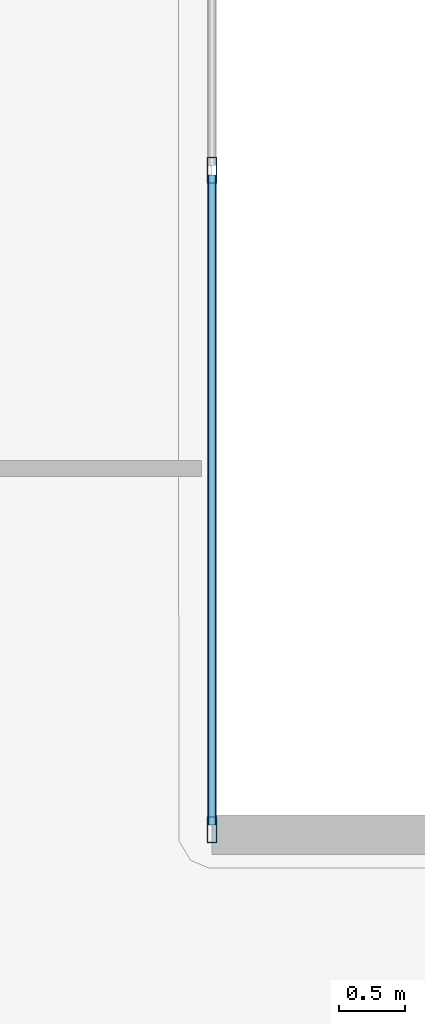
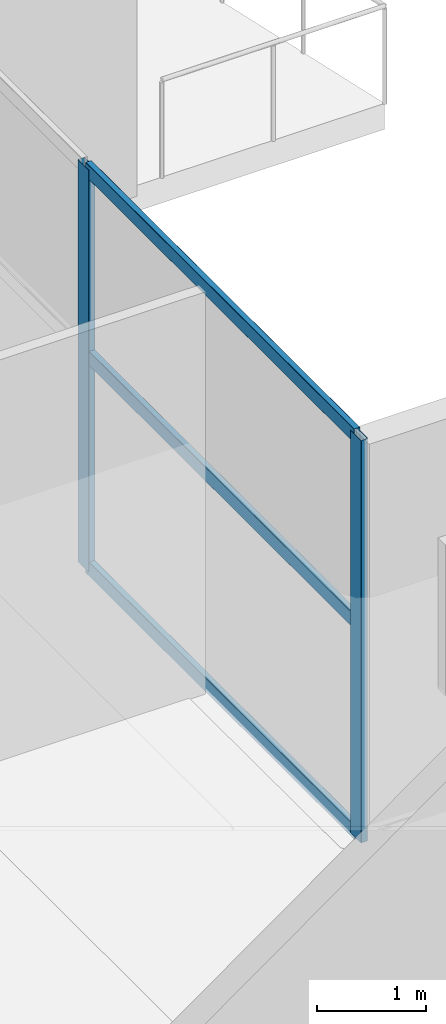
# One storey, part 11 of 42: 5 members, 1 element without a shape of its own.
"""IFC4 building model written with IfcOpenShell, lengths in metres."""

import ifcopenshell
import ifcopenshell.guid

model = None  # the IFC model being written
_history = None  # IfcOwnerHistory: only IFC2X3 demands one
_inside = {}  # id of a spatial element -> (the spatial element, [elements in it])
_under = {}  # id of a project, library or spatial element -> (it, [spatial elements below it])
_declared = {}  # id of a project -> (the project, [libraries it declares])
_typed = {}  # id of a type object -> (the type object, [elements of that type])
_made_of = {}  # id of a material, layer set ... -> (it, [elements and type objects made of it])


def new_model(schema):
    """Start an empty IFC model of exactly this schema.

    Asked for "IFC4X3", IfcOpenShell would pick the latest addendum, in which some entities
    have other attributes; the version numbers below select the first issue.
    IFC2X3 requires an IfcOwnerHistory on every rooted entity: one is made here for all.
    """
    global model, _history
    if schema == "IFC4X3":
        model = ifcopenshell.file(schema_version=(4, 3, 0, 0))
    else:
        model = ifcopenshell.file(schema=schema)
    _inside.clear()
    _under.clear()
    _declared.clear()
    _typed.clear()
    _made_of.clear()
    _history = None
    if model.schema == "IFC2X3":
        org = make("IfcOrganization", Name="unknown")
        user = make(
            "IfcPersonAndOrganization",
            ThePerson=make("IfcPerson", FamilyName="unknown"),
            TheOrganization=org,
        )
        app = make(
            "IfcApplication",
            ApplicationDeveloper=org,
            Version="unknown",
            ApplicationFullName="unknown",
            ApplicationIdentifier="unknown",
        )
        _history = make(
            "IfcOwnerHistory",
            OwningUser=user,
            OwningApplication=app,
            ChangeAction="ADDED",
            CreationDate=0,
        )
    return model


def make(cls, **values):
    """One entity of the class cls with the attributes given. An attribute that is None is left unset."""
    return model.create_entity(
        cls, **{name: value for name, value in values.items() if value is not None}
    )


def rooted(cls, **values):
    """An entity with a GlobalId (a new one), such as an element, a storey or a relation."""
    return make(cls, GlobalId=ifcopenshell.guid.new(), OwnerHistory=_history, **values)


def si_unit(unit_type, name, prefix=None):
    """IfcSIUnit, for example si_unit("LENGTHUNIT", "METRE", prefix="MILLI")."""
    return make("IfcSIUnit", UnitType=unit_type, Prefix=prefix, Name=name)


def assignment(units):
    """IfcUnitAssignment: the units of a project."""
    return None if units is None else make("IfcUnitAssignment", Units=units)


def point(xyz):
    """IfcCartesianPoint."""
    return None if xyz is None else make("IfcCartesianPoint", Coordinates=xyz)


def direction(xyz):
    """IfcDirection."""
    return None if xyz is None else make("IfcDirection", DirectionRatios=xyz)


def frame(location, z_axis=None, x_axis=None):
    """IfcAxis2Placement3D, a coordinate frame: its origin and axes. An axis left out is left unset."""
    return make(
        "IfcAxis2Placement3D",
        Location=point(location),
        Axis=direction(z_axis),
        RefDirection=direction(x_axis),
    )


def frame_2d(location, x_axis=None):
    """IfcAxis2Placement2D, a coordinate frame in the plane: its origin and x axis."""
    return make(
        "IfcAxis2Placement2D", Location=point(location), RefDirection=direction(x_axis)
    )


def origin():
    """The frame at (0, 0, 0) with its axes left unset."""
    return frame((0.0, 0.0, 0.0))


def origin_2d():
    """The frame at (0, 0) in the plane with its x axis left unset."""
    return frame_2d((0.0, 0.0))


def place(relative_to, where):
    """IfcLocalPlacement: puts the frame where relative to a parent placement (None: the world)."""
    return make(
        "IfcLocalPlacement", PlacementRelTo=relative_to, RelativePlacement=where
    )


def context(
    kind, dimensions, precision=None, world=None, true_north=None, identifier=None
):
    """IfcGeometricRepresentationContext, for example the 3D "Model" context."""
    return make(
        "IfcGeometricRepresentationContext",
        ContextIdentifier=identifier,
        ContextType=kind,
        CoordinateSpaceDimension=dimensions,
        Precision=precision,
        WorldCoordinateSystem=world,
        TrueNorth=true_north,
    )


def subcontext(parent, identifier, kind, view, scale=None):
    """IfcGeometricRepresentationSubContext, for example "Body" below "Model"."""
    return make(
        "IfcGeometricRepresentationSubContext",
        ContextIdentifier=identifier,
        ContextType=kind,
        ParentContext=parent,
        TargetScale=scale,
        TargetView=view,
    )


def project(units=None, contexts=None):
    """IfcProject with its units and contexts."""
    return rooted(
        "IfcProject",
        Name="project",
        RepresentationContexts=contexts,
        UnitsInContext=assignment(units),
    )


def spatial(cls, under=None, at=None, **own):
    """A site, building, storey or space (cls), placed at a placement, below another one or the project."""
    s = rooted(cls, ObjectPlacement=at, **own)
    if under is not None:
        _under.setdefault(under.id(), (under, []))[1].append(s)
    return s


def profile(cls, at=None, kind="AREA", **sizes):
    """A parametric profile (cls). Its sizes go by their IFC names, for example OverallWidth=200.0."""
    return make(cls, ProfileType=kind, Position=at, **sizes)


def hollow_rectangle(**sizes):
    """IfcRectangleHollowProfileDef."""
    return profile("IfcRectangleHollowProfileDef", **sizes)


def extrude(swept, where, along, depth):
    """IfcExtrudedAreaSolid: the profile swept, set in the frame where, extruded along a direction by depth."""
    return make(
        "IfcExtrudedAreaSolid",
        SweptArea=swept,
        Position=where,
        ExtrudedDirection=direction(along),
        Depth=depth,
    )


def shape(context_of_items, identifier, shape_type, items):
    """IfcShapeRepresentation: the items that make up one representation, for example the "Body"."""
    return make(
        "IfcShapeRepresentation",
        ContextOfItems=context_of_items,
        RepresentationIdentifier=identifier,
        RepresentationType=shape_type,
        Items=items,
    )


def material(Name=None, Category=None):
    """IfcMaterial."""
    return make("IfcMaterial", Name=Name, Category=Category)


def layer(
    of_material, thickness, ventilated=None, Name=None, Category=None, Priority=None
):
    """IfcMaterialLayer: one layer of a wall or slab, of a material (None: an air gap)."""
    return make(
        "IfcMaterialLayer",
        Material=of_material,
        LayerThickness=thickness,
        IsVentilated=ventilated,
        Name=Name,
        Category=Category,
        Priority=Priority,
    )


def layer_set(layers, Name=None):
    """IfcMaterialLayerSet."""
    return make("IfcMaterialLayerSet", MaterialLayers=layers, LayerSetName=Name)


def material_profile(
    of_material, cross_section, Name=None, Category=None, Priority=None
):
    """IfcMaterialProfile: a cross section and its material."""
    return make(
        "IfcMaterialProfile",
        Name=Name,
        Material=of_material,
        Profile=cross_section,
        Priority=Priority,
        Category=Category,
    )


def profile_set(profiles, Name=None, composite=None):
    """IfcMaterialProfileSet."""
    return make(
        "IfcMaterialProfileSet",
        Name=Name,
        MaterialProfiles=profiles,
        CompositeProfile=composite,
    )


def made_of(thing, what):
    """Note that an element or type object is made of a material, layer set ...; save() writes the relation."""
    if what is not None:
        _made_of.setdefault(what.id(), (what, []))[1].append(thing)
    return thing


def type_object(cls, material=None, **own):
    """A type object (cls), such as IfcWallType, which elements share."""
    return made_of(rooted(cls, **own), material)


def element(
    cls,
    number,
    at=None,
    inside=None,
    cuts=None,
    type_object=None,
    material=None,
    context=None,
    identifier="Body",
    shape_type=None,
    held_by="IfcProductDefinitionShape",
    body=None,
    shapes=None,
    **own,
):
    """One element of the class cls, such as IfcWall. Its Tag is "e" and its number.

    at: its placement. inside: the storey or other place that contains it. cuts: it is an
    opening in that element (IfcRelVoidsElement). A single representation is given by context,
    identifier, shape_type and body (its items); several are given by shapes. held_by: the class
    of the entity that holds the representations. save() writes the other relations.
    """
    e = rooted(cls, Tag="e%d" % number, ObjectPlacement=at, **own)
    if body is not None:
        shapes = [shape(context, identifier, shape_type, body)]
    if shapes is not None:
        e.Representation = make(held_by, Representations=shapes)
    if inside is not None:
        _inside.setdefault(inside.id(), (inside, []))[1].append(e)
    if cuts is not None:
        rooted(
            "IfcRelVoidsElement", RelatingBuildingElement=cuts, RelatedOpeningElement=e
        )
    if type_object is not None:
        _typed.setdefault(type_object.id(), (type_object, []))[1].append(e)
    return made_of(e, material)


def aggregate(whole, parts):
    """IfcRelAggregates: a whole, such as a stair, and the parts it consists of."""
    return rooted("IfcRelAggregates", RelatingObject=whole, RelatedObjects=parts)


def save(model, path):
    """Write the relations noted so far, then the file.

    IfcRelAggregates (storeys below a building ...), IfcRelContainedInSpatialStructure (elements
    in a storey), IfcRelDefinesByType, IfcRelAssociatesMaterial and IfcRelDeclares: one each for
    every whole, place, type object, material and project.
    """
    for whole, parts in _under.values():
        aggregate(whole, parts)
    for where, things in _inside.values():
        rooted(
            "IfcRelContainedInSpatialStructure",
            RelatedElements=things,
            RelatingStructure=where,
        )
    for kind, things in _typed.values():
        rooted("IfcRelDefinesByType", RelatedObjects=things, RelatingType=kind)
    for what, things in _made_of.values():
        rooted("IfcRelAssociatesMaterial", RelatedObjects=things, RelatingMaterial=what)
    for by, libraries in _declared.values():
        rooted("IfcRelDeclares", RelatingContext=by, RelatedDefinitions=libraries)
    model.write(path)


model = new_model("IFC4")

# Units and contexts
model_context = context("Model", 3, precision=1e-05, world=origin(), true_north=direction((0.0, 1.0)))
body_context = subcontext(model_context, "Body", "Model", "MODEL_VIEW")
ifc_project = project(units=[si_unit("LENGTHUNIT", "METRE"), si_unit("AREAUNIT", "SQUARE_METRE"), si_unit("VOLUMEUNIT", "CUBIC_METRE"), si_unit("PLANEANGLEUNIT", "RADIAN"), si_unit("MASSUNIT", "GRAM", prefix="KILO")], contexts=[model_context])

# Site, building, storey
site_placement = place(None, origin())
site = spatial("IfcSite", under=ifc_project, at=site_placement, CompositionType="ELEMENT")
building_placement = place(site_placement, origin())
building = spatial("IfcBuilding", under=site, at=building_placement, Name="Qorvath Tower", CompositionType="ELEMENT")
storey_placement = place(building_placement, frame((0.0, 0.0, 105.0)))
storey = spatial("IfcBuildingStorey", under=building, at=storey_placement, Name="L23", CompositionType="ELEMENT", Elevation=105.0)

# Curtain wall, members
ifc_material_1 = material(Name="Anodised aluminium and triple low-E glass", Category="aluminium")
ifc_layer = layer(ifc_material_1, 0.179931640625)
ifc_layer_set = layer_set([ifc_layer], Name="CW-SYS-5")
curtain_wall_type = type_object("IfcCurtainWallType", Name="CW-SYS-5", PredefinedType="NOTDEFINED", material=ifc_layer_set)
curtain_wall_placement = place(storey_placement, origin())
curtain_wall = element("IfcCurtainWall", 1, at=curtain_wall_placement, inside=storey, type_object=curtain_wall_type, Name="Curtain Wall CW-5 CW-T-L23-9.1", PredefinedType="NOTDEFINED")
ifc_material_2 = material(Name="Anodised aluminium 6063-T6", Category="aluminium")
ifc_material_profile_1 = material_profile(ifc_material_2, hollow_rectangle(XDim=0.074951171875, YDim=0.199951171875, WallThickness=0.00390625, InnerFilletRadius=0.00390625, OuterFilletRadius=0.008056640625, at=origin_2d()), Name="CWM 200x75")
ifc_profile_set_1 = profile_set([ifc_material_profile_1], Name="Anodised aluminium 6063-T6")
member_type_1 = type_object("IfcMemberType", Name="CWM-200", PredefinedType="MULLION", material=ifc_profile_set_1)
member_1_placement = place(storey_placement, frame((1.910400390625, -5.016845703125, 0.0), z_axis=(0.0, 0.0, 1.0), x_axis=(-1.0, 0.0, 0.0)))
member_1 = element("IfcMember", 2, at=member_1_placement, type_object=member_type_1, Name="CW-5 mullion 1", PredefinedType="MULLION", context=body_context, shape_type="SweptSolid", body=[
    extrude(hollow_rectangle(XDim=0.074951171875, YDim=0.199951171875, WallThickness=0.00390625, InnerFilletRadius=0.00390625, OuterFilletRadius=0.008056640625, at=origin_2d()), origin(), (0.0, 0.0, 1.0), 4.52001953125),
])
member_2_placement = place(storey_placement, frame((1.910400390625, 0.0, 0.0), z_axis=(0.0, 0.0, 1.0), x_axis=(-1.0, 0.0, 0.0)))
member_2 = element("IfcMember", 3, at=member_2_placement, type_object=member_type_1, Name="CW-5 mullion 2", PredefinedType="MULLION", context=body_context, shape_type="SweptSolid", body=[
    extrude(hollow_rectangle(XDim=0.074951171875, YDim=0.199951171875, WallThickness=0.00390625, InnerFilletRadius=0.00390625, OuterFilletRadius=0.008056640625, at=origin_2d()), origin(), (0.0, 0.0, 1.0), 4.52001953125),
])
ifc_material_3 = material(Name="Anodised aluminium 6063-T6", Category="aluminium")
ifc_material_profile_2 = material_profile(ifc_material_3, hollow_rectangle(XDim=0.06494140625, YDim=0.159912109375, WallThickness=0.00341796875, InnerFilletRadius=0.00341796875, OuterFilletRadius=0.007080078125, at=origin_2d()), Name="CWT 160x65")
ifc_profile_set_2 = profile_set([ifc_material_profile_2], Name="Anodised aluminium 6063-T6")
member_type_2 = type_object("IfcMemberType", Name="CWT-160", PredefinedType="USERDEFINED", material=ifc_profile_set_2)
member_3_placement = place(storey_placement, frame((1.910400390625, -4.9794921875, 0.032470703125), z_axis=(0.0, 1.0, 0.0), x_axis=(-1.0, 0.0, 0.0)))
member_3 = element("IfcMember", 4, at=member_3_placement, type_object=member_type_2, Name="CW-5 transom 1.1", ObjectType="TRANSOM", PredefinedType="USERDEFINED", context=body_context, shape_type="SweptSolid", body=[
    extrude(hollow_rectangle(XDim=0.06494140625, YDim=0.159912109375, WallThickness=0.00341796875, InnerFilletRadius=0.00341796875, OuterFilletRadius=0.007080078125, at=origin_2d()), origin(), (0.0, 0.0, 1.0), 4.94189453125),
])
member_4_placement = place(storey_placement, frame((1.910400390625, -4.9794921875, 2.39990234375), z_axis=(0.0, 1.0, 0.0), x_axis=(-1.0, 0.0, 0.0)))
member_4 = element("IfcMember", 5, at=member_4_placement, type_object=member_type_2, Name="CW-5 transom 1.2", ObjectType="TRANSOM", PredefinedType="USERDEFINED", context=body_context, shape_type="SweptSolid", body=[
    extrude(hollow_rectangle(XDim=0.06494140625, YDim=0.159912109375, WallThickness=0.00341796875, InnerFilletRadius=0.00341796875, OuterFilletRadius=0.007080078125, at=origin_2d()), origin(), (0.0, 0.0, 1.0), 4.94189453125),
])
member_5_placement = place(storey_placement, frame((1.910400390625, -4.9794921875, 4.487548828125), z_axis=(0.0, 1.0, 0.0), x_axis=(-1.0, 0.0, 0.0)))
member_5 = element("IfcMember", 6, at=member_5_placement, type_object=member_type_2, Name="CW-5 transom 1.3", ObjectType="TRANSOM", PredefinedType="USERDEFINED", context=body_context, shape_type="SweptSolid", body=[
    extrude(hollow_rectangle(XDim=0.06494140625, YDim=0.159912109375, WallThickness=0.00341796875, InnerFilletRadius=0.00341796875, OuterFilletRadius=0.007080078125, at=origin_2d()), origin(), (0.0, 0.0, 1.0), 4.94189453125),
])
aggregate(curtain_wall, [member_1, member_2, member_3, member_4, member_5])

save(model, "model.ifc")
